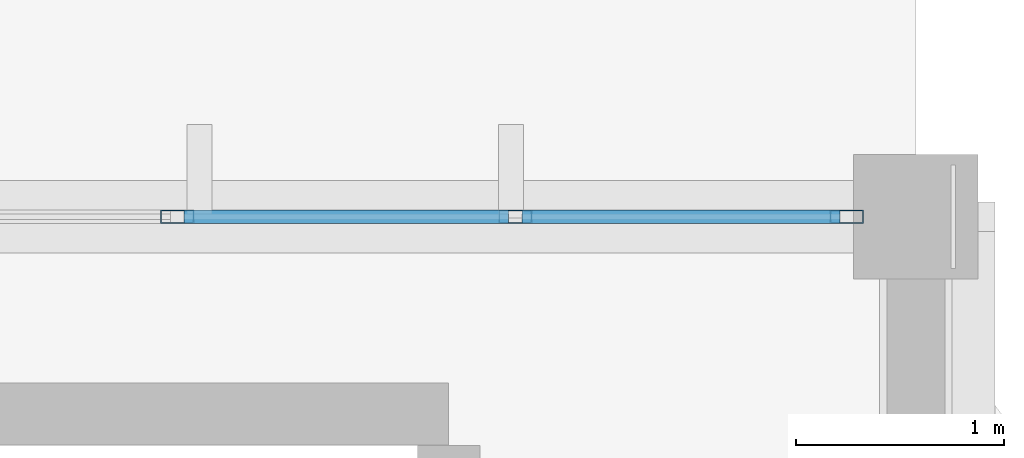
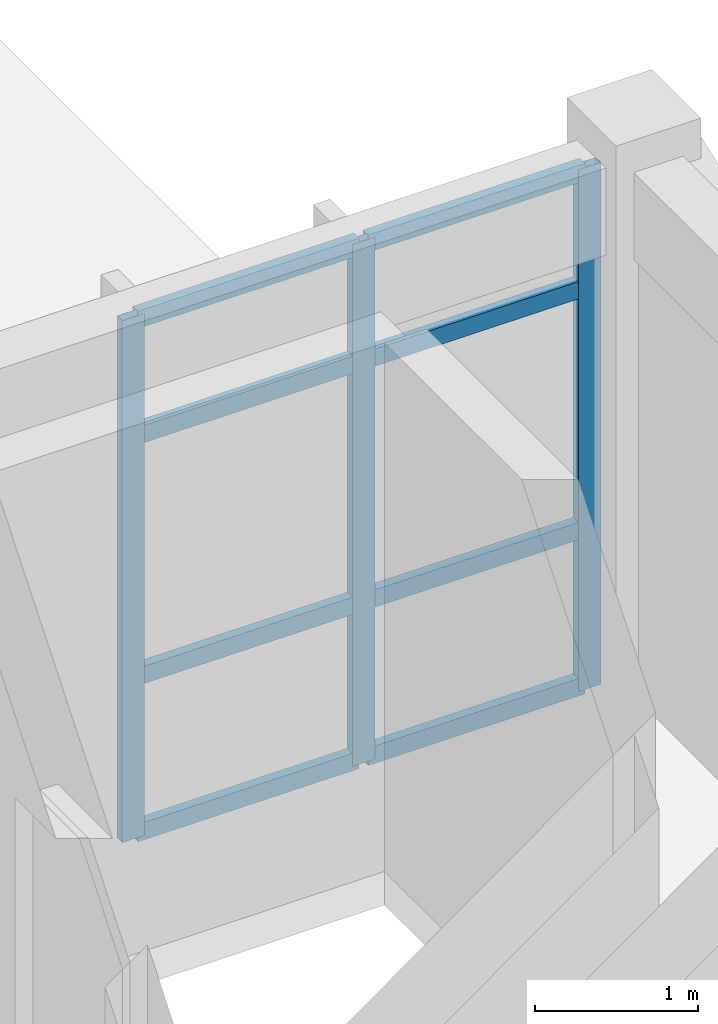
# One storey, part 25 of 37: 11 members, 1 element without a shape of its own.
"""IFC4 building model written with IfcOpenShell, lengths in metres."""

from ifc_helpers import new_model, si_unit, direction, frame, origin, origin_2d, place, context, subcontext, project, spatial, hollow_rectangle, extrude, material, layer, layer_set, material_profile, profile_set, type_object, element, aggregate, save


model = new_model("IFC4")

# Units and contexts
model_context = context("Model", 3, precision=1e-05, world=origin(), true_north=direction((0.0, 1.0)))
body_context = subcontext(model_context, "Body", "Model", "MODEL_VIEW")
ifc_project = project(units=[si_unit("LENGTHUNIT", "METRE"), si_unit("AREAUNIT", "SQUARE_METRE"), si_unit("VOLUMEUNIT", "CUBIC_METRE"), si_unit("PLANEANGLEUNIT", "RADIAN"), si_unit("MASSUNIT", "GRAM", prefix="KILO")], contexts=[model_context])

# Site, building, storey
site_placement = place(None, origin())
site = spatial("IfcSite", under=ifc_project, at=site_placement, CompositionType="ELEMENT")
building_placement = place(site_placement, origin())
building = spatial("IfcBuilding", under=site, at=building_placement, Name="Pandanus Reach Market Hall", CompositionType="ELEMENT")
storey_placement = place(building_placement, frame((0.0, 0.0, 14.39990234375)))
storey = spatial("IfcBuildingStorey", under=building, at=storey_placement, Name="L03", CompositionType="ELEMENT", Elevation=14.39990234375)

# Curtain wall, members
ifc_material_1 = material(Name="Bronze anodised aluminium and low-E glass", Category="aluminium")
ifc_layer = layer(ifc_material_1, 0.159912109375, Name="CW-31")
ifc_layer_set = layer_set([ifc_layer], Name="Bronze anodised aluminium and low-E glass")
curtain_wall_type = type_object("IfcCurtainWallType", Name="CW-31", PredefinedType="NOTDEFINED", material=ifc_layer_set)
curtain_wall_placement = place(storey_placement, origin())
curtain_wall = element("IfcCurtainWall", 1, at=curtain_wall_placement, inside=storey, type_object=curtain_wall_type, Name="Glazed curtain wall CW-31 CW-0120", PredefinedType="NOTDEFINED")
ifc_material_2 = material(Name="Bronze anodised aluminium", Category="aluminium")
ifc_material_profile_1 = material_profile(ifc_material_2, hollow_rectangle(XDim=0.06494140625, YDim=0.159912109375, WallThickness=0.00390625, at=origin_2d()), Name="ALU65x160", Category="LoadBearing")
ifc_profile_set_1 = profile_set([ifc_material_profile_1], Name="Bronze anodised aluminium")
member_type_1 = type_object("IfcMemberType", Name="CW-M1", PredefinedType="MULLION", material=ifc_profile_set_1)
member_1_placement = place(storey_placement, frame((176.44287109375, 76.800048828125, 0.0), z_axis=(0.0, 0.0, 1.0), x_axis=(0.0, 1.0, 0.0)))
member_1 = element("IfcMember", 2, at=member_1_placement, type_object=member_type_1, Name="CW-31 mullion 6", PredefinedType="MULLION", context=body_context, shape_type="SweptSolid", body=[
    extrude(hollow_rectangle(XDim=0.06494140625, YDim=0.159912109375, WallThickness=0.00390625, at=origin_2d()), origin(), (0.0, 0.0, 1.0), 3.900146484375),
])
member_2_placement = place(storey_placement, frame((178.071533203125, 76.800048828125, 0.0), z_axis=(0.0, 0.0, 1.0), x_axis=(0.0, 1.0, 0.0)))
member_2 = element("IfcMember", 3, at=member_2_placement, type_object=member_type_1, Name="CW-31 mullion 7", PredefinedType="MULLION", context=body_context, shape_type="SweptSolid", body=[
    extrude(hollow_rectangle(XDim=0.06494140625, YDim=0.159912109375, WallThickness=0.00390625, at=origin_2d()), origin(), (0.0, 0.0, 1.0), 3.900146484375),
])
member_3_placement = place(storey_placement, frame((179.66748046875, 76.800048828125, 0.0), z_axis=(0.0, 0.0, 1.0), x_axis=(0.0, 1.0, 0.0)))
member_3 = element("IfcMember", 4, at=member_3_placement, type_object=member_type_1, Name="CW-31 mullion 8", PredefinedType="MULLION", context=body_context, shape_type="SweptSolid", body=[
    extrude(hollow_rectangle(XDim=0.06494140625, YDim=0.159912109375, WallThickness=0.00390625, at=origin_2d()), origin(), (0.0, 0.0, 1.0), 3.900146484375),
])
ifc_material_profile_2 = material_profile(ifc_material_2, hollow_rectangle(XDim=0.06494140625, YDim=0.1298828125, WallThickness=0.00390625, at=origin_2d()), Name="ALU65x130", Category="LoadBearing")
ifc_profile_set_2 = profile_set([ifc_material_profile_2], Name="Bronze anodised aluminium")
member_type_2 = type_object("IfcMemberType", Name="CW-T1", PredefinedType="USERDEFINED", material=ifc_profile_set_2)
member_4_placement = place(storey_placement, frame((176.475341796875, 76.800048828125, 0.03271484375), z_axis=(1.0, 0.0, 0.0), x_axis=(0.0, 1.0, 0.0)))
member_4 = element("IfcMember", 5, at=member_4_placement, type_object=member_type_2, Name="CW-31 transom 6.1", ObjectType="TRANSOM", PredefinedType="USERDEFINED", context=body_context, shape_type="SweptSolid", body=[
    extrude(hollow_rectangle(XDim=0.06494140625, YDim=0.1298828125, WallThickness=0.00390625, at=origin_2d()), origin(), (0.0, 0.0, 1.0), 1.5634765625),
])
member_5_placement = place(storey_placement, frame((176.475341796875, 76.800048828125, 1.2001953125), z_axis=(1.0, 0.0, 0.0), x_axis=(0.0, 1.0, 0.0)))
member_5 = element("IfcMember", 6, at=member_5_placement, type_object=member_type_2, Name="CW-31 transom 6.2", ObjectType="TRANSOM", PredefinedType="USERDEFINED", context=body_context, shape_type="SweptSolid", body=[
    extrude(hollow_rectangle(XDim=0.06494140625, YDim=0.1298828125, WallThickness=0.00390625, at=origin_2d()), origin(), (0.0, 0.0, 1.0), 1.5634765625),
])
member_6_placement = place(storey_placement, frame((176.475341796875, 76.800048828125, 3.0), z_axis=(1.0, 0.0, 0.0), x_axis=(0.0, 1.0, 0.0)))
member_6 = element("IfcMember", 7, at=member_6_placement, type_object=member_type_2, Name="CW-31 transom 6.3", ObjectType="TRANSOM", PredefinedType="USERDEFINED", context=body_context, shape_type="SweptSolid", body=[
    extrude(hollow_rectangle(XDim=0.06494140625, YDim=0.1298828125, WallThickness=0.00390625, at=origin_2d()), origin(), (0.0, 0.0, 1.0), 1.5634765625),
])
member_7_placement = place(storey_placement, frame((176.475341796875, 76.800048828125, 3.86767578125), z_axis=(1.0, 0.0, 0.0), x_axis=(0.0, 1.0, 0.0)))
member_7 = element("IfcMember", 8, at=member_7_placement, type_object=member_type_2, Name="CW-31 transom 6.4", ObjectType="TRANSOM", PredefinedType="USERDEFINED", context=body_context, shape_type="SweptSolid", body=[
    extrude(hollow_rectangle(XDim=0.06494140625, YDim=0.1298828125, WallThickness=0.00390625, at=origin_2d()), origin(), (0.0, 0.0, 1.0), 1.5634765625),
])
member_8_placement = place(storey_placement, frame((178.10400390625, 76.800048828125, 0.03271484375), z_axis=(1.0, 0.0, 0.0), x_axis=(0.0, 1.0, 0.0)))
member_8 = element("IfcMember", 9, at=member_8_placement, type_object=member_type_2, Name="CW-31 transom 7.1", ObjectType="TRANSOM", PredefinedType="USERDEFINED", context=body_context, shape_type="SweptSolid", body=[
    extrude(hollow_rectangle(XDim=0.06494140625, YDim=0.1298828125, WallThickness=0.00390625, at=origin_2d()), origin(), (0.0, 0.0, 1.0), 1.531005859375),
])
member_9_placement = place(storey_placement, frame((178.10400390625, 76.800048828125, 1.2001953125), z_axis=(1.0, 0.0, 0.0), x_axis=(0.0, 1.0, 0.0)))
member_9 = element("IfcMember", 10, at=member_9_placement, type_object=member_type_2, Name="CW-31 transom 7.2", ObjectType="TRANSOM", PredefinedType="USERDEFINED", context=body_context, shape_type="SweptSolid", body=[
    extrude(hollow_rectangle(XDim=0.06494140625, YDim=0.1298828125, WallThickness=0.00390625, at=origin_2d()), origin(), (0.0, 0.0, 1.0), 1.531005859375),
])
member_10_placement = place(storey_placement, frame((178.10400390625, 76.800048828125, 3.0), z_axis=(1.0, 0.0, 0.0), x_axis=(0.0, 1.0, 0.0)))
member_10 = element("IfcMember", 11, at=member_10_placement, type_object=member_type_2, Name="CW-31 transom 7.3", ObjectType="TRANSOM", PredefinedType="USERDEFINED", context=body_context, shape_type="SweptSolid", body=[
    extrude(hollow_rectangle(XDim=0.06494140625, YDim=0.1298828125, WallThickness=0.00390625, at=origin_2d()), origin(), (0.0, 0.0, 1.0), 1.531005859375),
])
member_11_placement = place(storey_placement, frame((178.10400390625, 76.800048828125, 3.86767578125), z_axis=(1.0, 0.0, 0.0), x_axis=(0.0, 1.0, 0.0)))
member_11 = element("IfcMember", 12, at=member_11_placement, type_object=member_type_2, Name="CW-31 transom 7.4", ObjectType="TRANSOM", PredefinedType="USERDEFINED", context=body_context, shape_type="SweptSolid", body=[
    extrude(hollow_rectangle(XDim=0.06494140625, YDim=0.1298828125, WallThickness=0.00390625, at=origin_2d()), origin(), (0.0, 0.0, 1.0), 1.531005859375),
])
aggregate(curtain_wall, [member_1, member_2, member_3, member_4, member_5, member_6, member_7, member_8, member_9, member_10, member_11])

save(model, "model.ifc")
